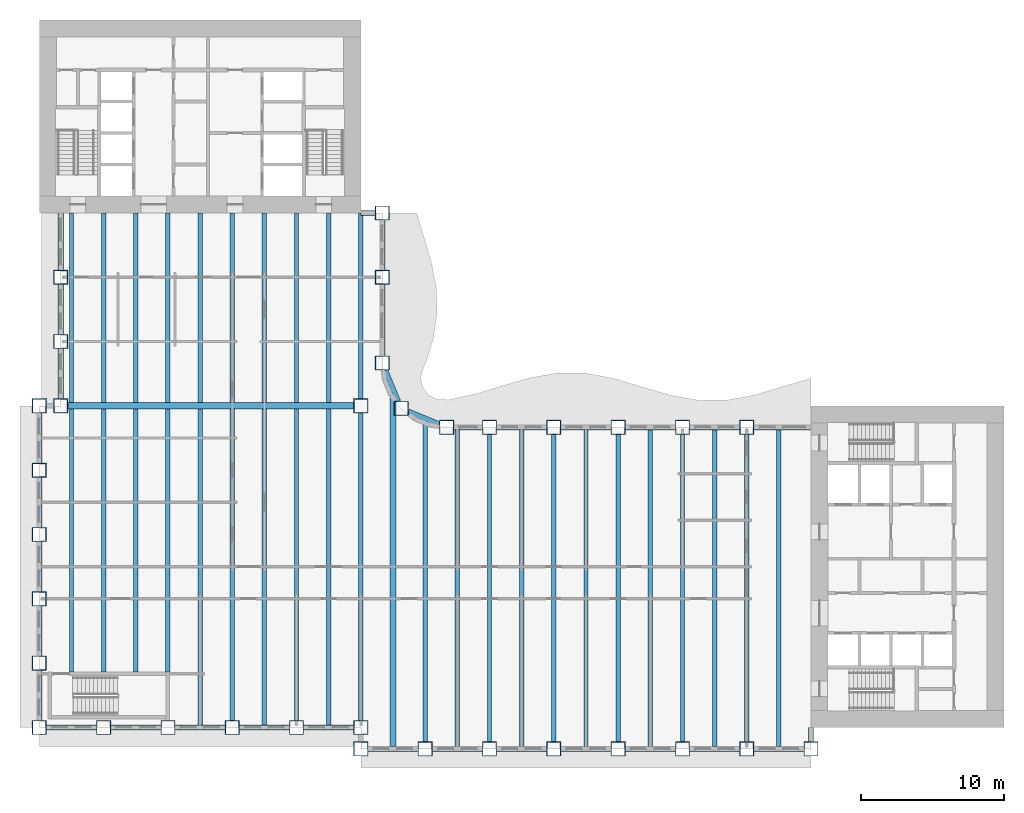
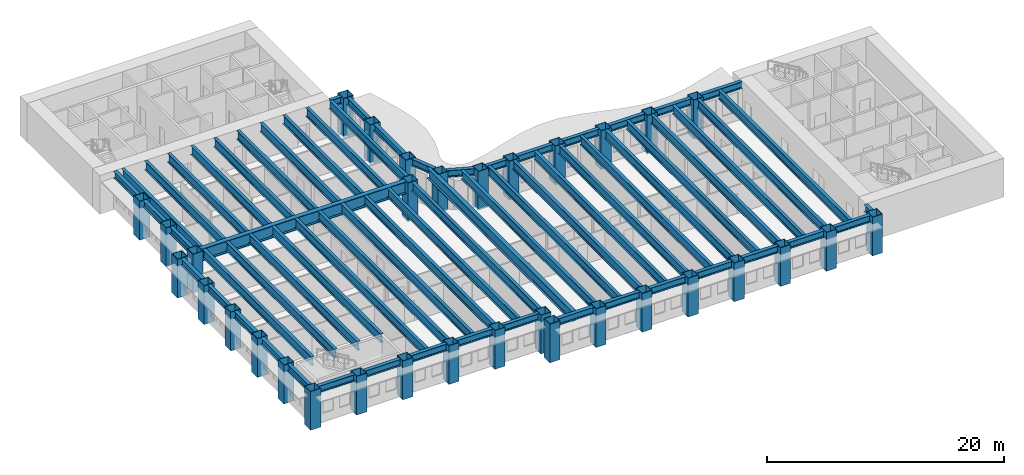
# One storey, part 1 of 16: 66 beams, 33 columns.
"""IFC4 building model written with IfcOpenShell, lengths in metres."""

from ifc_helpers import new_model, si_unit, direction, frame, origin, origin_2d, place, context, subcontext, project, spatial, hollow_rectangle, i_section, extrude, material, material_profile, profile_set, type_object, element, save


model = new_model("IFC4")

# Units and contexts
model_context = context("Model", 3, precision=1e-05, world=origin(), true_north=direction((0.0, 1.0)))
body_context = subcontext(model_context, "Body", "Model", "MODEL_VIEW")
ifc_project = project(units=[si_unit("LENGTHUNIT", "METRE"), si_unit("AREAUNIT", "SQUARE_METRE"), si_unit("VOLUMEUNIT", "CUBIC_METRE"), si_unit("PLANEANGLEUNIT", "RADIAN"), si_unit("MASSUNIT", "GRAM", prefix="KILO")], contexts=[model_context])

# Site, building, storey
site_placement = place(None, origin())
site = spatial("IfcSite", under=ifc_project, at=site_placement, CompositionType="ELEMENT")
building_placement = place(site_placement, origin())
building = spatial("IfcBuilding", under=site, at=building_placement, Name="Sennacour Bend Tower", CompositionType="ELEMENT")
storey_placement = place(building_placement, frame((0.0, 0.0, 99.0)))
storey = spatial("IfcBuildingStorey", under=building, at=storey_placement, Name="L22", CompositionType="ELEMENT", Elevation=99.0)

# Columns
ifc_material_1 = material(Name="Steel ASTM A572 Grade 50", Category="steel")
ifc_material_profile_1 = material_profile(ifc_material_1, hollow_rectangle(XDim=1.0, YDim=1.0, WallThickness=0.050048828125, at=origin_2d()), Name="Steel ASTM A572 Grade 50", Category="steel")
ifc_profile_set_1 = profile_set([ifc_material_profile_1], Name="Steel ASTM A572 Grade 50")
column_type = type_object("IfcColumnType", Name="Box column 1000", PredefinedType="COLUMN", material=ifc_profile_set_1)
for number, where, z_axis, x_axis, name in (
    (1, (0.0, 0.0, -0.14990234375), (0.0, 0.0, 1.0), (1.0, 0.0, 0.0), "Perimeter column C2 L22-001"),
    (2, (0.0, 4.5, -0.14990234375), (0.0, 0.0, 1.0), (1.0, 0.0, 0.0), "Perimeter column C2 L22-002"),
    (3, (0.0, 9.0, -0.14990234375), (0.0, 0.0, 1.0), (1.0, 0.0, 0.0), "Perimeter column C2 L22-003"),
    (4, (0.0, 13.5, -0.14990234375), (0.0, 0.0, 1.0), (1.0, 0.0, 0.0), "Perimeter column C2 L22-004"),
    (5, (0.0, 18.0, -0.14990234375), (0.0, 0.0, 1.0), (1.0, 0.0, 0.0), "Perimeter column C2 L22-005"),
    (6, (0.0, 22.5, -0.14990234375), (0.0, 0.0, 1.0), (1.0, 0.0, 0.0), "Perimeter column C2 L22-006"),
    (7, (1.5, 22.5, -0.14990234375), (0.0, 0.0, 1.0), (1.0, 0.0, 0.0), "Perimeter column C2 L22-007"),
    (8, (1.5, 27.0, -0.14990234375), (0.0, 0.0, 1.0), (1.0, 0.0, 0.0), "Perimeter column C2 L22-008"),
    (9, (1.5, 31.5, -0.14990234375), (0.0, 0.0, 1.0), (1.0, 0.0, 0.0), "Perimeter column C2 L22-009"),
    (10, (4.5, 0.0, -0.14990234375), (0.0, 0.0, 1.0), (1.0, 0.0, 0.0), "Perimeter column C2 L22-010"),
    (11, (9.0, 0.0, -0.14990234375), (0.0, 0.0, 1.0), (1.0, 0.0, 0.0), "Perimeter column C2 L22-011"),
    (12, (13.5, 0.0, -0.14990234375), (0.0, 0.0, 1.0), (1.0, 0.0, 0.0), "Perimeter column C2 L22-012"),
    (13, (18.0, 0.0, -0.14990234375), (0.0, 0.0, 1.0), (1.0, 0.0, 0.0), "Perimeter column C2 L22-013"),
    (14, (22.5, -1.5, -0.14990234375), (0.0, 0.0, 1.0), (1.0, 0.0, 0.0), "Perimeter column C2 L22-014"),
    (15, (22.5, 0.0, -0.14990234375), (0.0, 0.0, 1.0), (1.0, 0.0, 0.0), "Perimeter column C2 L22-015"),
    (16, (22.5, 22.5, -0.14990234375), (0.0, 0.0, 1.0), (1.0, 0.0, 0.0), "Knuckle column C2 L22-016"),
    (17, (24.0, 25.5, -0.14990234375), (0.0, 0.0, 1.0), (1.0, 0.0, 0.0), "Perimeter column C2 L22-017"),
    (18, (24.0, 31.5, -0.14990234375), (0.0, 0.0, 1.0), (1.0, 0.0, 0.0), "Perimeter column C2 L22-018"),
    (19, (24.0, 36.0, -0.14990234375), (0.0, 0.0, 1.0), (1.0, 0.0, 0.0), "Perimeter column C2 L22-019"),
    (20, (25.318115234375, 22.318115234375, -0.14990234375), (0.0, 0.0, 1.0), (1.0, 0.0, 0.0), "Perimeter column C2 L22-020"),
    (21, (27.0, -1.5, -0.14990234375), (0.0, 0.0, 1.0), (1.0, 0.0, 0.0), "Perimeter column C2 L22-021"),
    (22, (28.5, 21.0, -0.14990234375), (0.0, 0.0, 1.0), (1.0, 0.0, 0.0), "Perimeter column C2 L22-022"),
    (23, (31.5, -1.5, -0.14990234375), (0.0, 0.0, 1.0), (1.0, 0.0, 0.0), "Perimeter column C2 L22-023"),
    (24, (31.5, 21.0, -0.14990234375), (0.0, 0.0, 1.0), (1.0, 0.0, 0.0), "Perimeter column C2 L22-024"),
    (25, (36.0, -1.5, -0.14990234375), (0.0, 0.0, 1.0), (1.0, 0.0, 0.0), "Perimeter column C2 L22-025"),
    (26, (36.0, 21.0, -0.14990234375), (0.0, 0.0, 1.0), (1.0, 0.0, 0.0), "Perimeter column C2 L22-026"),
    (27, (40.5, -1.5, -0.14990234375), (0.0, 0.0, 1.0), (1.0, 0.0, 0.0), "Perimeter column C2 L22-027"),
    (28, (40.5, 21.0, -0.14990234375), (0.0, 0.0, 1.0), (1.0, 0.0, 0.0), "Perimeter column C2 L22-028"),
    (29, (45.0, -1.5, -0.14990234375), (0.0, 0.0, 1.0), (1.0, 0.0, 0.0), "Perimeter column C2 L22-029"),
    (30, (45.0, 21.0, -0.14990234375), (0.0, 0.0, 1.0), (1.0, 0.0, 0.0), "Perimeter column C2 L22-030"),
    (31, (49.5, -1.5, -0.14990234375), (0.0, 0.0, 1.0), (1.0, 0.0, 0.0), "Perimeter column C2 L22-031"),
    (32, (49.5, 21.0, -0.14990234375), (0.0, 0.0, 1.0), (1.0, 0.0, 0.0), "Perimeter column C2 L22-032"),
    (33, (54.0, -1.5, -0.14990234375), (0.0, 0.0, 1.0), (1.0, 0.0, 0.0), "Perimeter column C2 L22-033"),
):
    element("IfcColumn", number, at=place(storey_placement, frame(where, z_axis=z_axis, x_axis=x_axis)), inside=storey, type_object=column_type, Name=name, PredefinedType="COLUMN", context=body_context, shape_type="SweptSolid", body=[
        extrude(hollow_rectangle(XDim=1.0, YDim=1.0, WallThickness=0.050048828125, at=origin_2d()), origin(), (0.0, 0.0, 1.0), 4.0),
    ])

# Beams
ifc_material_2 = material(Name="Steel ASTM A992 Grade 50", Category="steel")
ifc_material_profile_2 = material_profile(ifc_material_2, i_section(OverallWidth=0.304931640625, OverallDepth=0.912109375, WebThickness=0.015869140625, FlangeThickness=0.02392578125, FilletRadius=0.01904296875, at=origin_2d()), Name="Steel ASTM A992 Grade 50", Category="steel")
ifc_profile_set_2 = profile_set([ifc_material_profile_2], Name="Steel ASTM A992 Grade 50")
beam_type_1 = type_object("IfcBeamType", Name="Floor beam W920X223", PredefinedType="BEAM", material=ifc_profile_set_2)
beam_1_placement = place(storey_placement, frame((2.25, 3.875, 3.39404296875), z_axis=(0.0, 1.0, 0.0), x_axis=(-1.0, 0.0, 0.0)))
element("IfcBeam", 34, at=beam_1_placement, inside=storey, type_object=beam_type_1, Name="Floor beam FBM1 L23-001", PredefinedType="BEAM", context=body_context, shape_type="SweptSolid", body=[
    extrude(i_section(OverallWidth=0.304931640625, OverallDepth=0.912109375, WebThickness=0.015869140625, FlangeThickness=0.02392578125, FilletRadius=0.01904296875, at=origin_2d()), origin(), (0.0, 0.0, 1.0), 18.39990234375),
])
beam_2_placement = place(storey_placement, frame((2.25, 22.72509765625, 3.39404296875), z_axis=(0.0, 1.0, 0.0), x_axis=(-1.0, 0.0, 0.0)))
element("IfcBeam", 35, at=beam_2_placement, inside=storey, type_object=beam_type_1, Name="Floor beam FBM1 L23-002", PredefinedType="BEAM", context=body_context, shape_type="SweptSolid", body=[
    extrude(i_section(OverallWidth=0.304931640625, OverallDepth=0.912109375, WebThickness=0.015869140625, FlangeThickness=0.02392578125, FilletRadius=0.01904296875, at=origin_2d()), origin(), (0.0, 0.0, 1.0), 13.27490234375),
])
beam_3_placement = place(storey_placement, frame((4.5, 3.875, 3.39404296875), z_axis=(0.0, 1.0, 0.0), x_axis=(-1.0, 0.0, 0.0)))
element("IfcBeam", 36, at=beam_3_placement, inside=storey, type_object=beam_type_1, Name="Floor beam FBM1 L23-003", PredefinedType="BEAM", context=body_context, shape_type="SweptSolid", body=[
    extrude(i_section(OverallWidth=0.304931640625, OverallDepth=0.912109375, WebThickness=0.015869140625, FlangeThickness=0.02392578125, FilletRadius=0.01904296875, at=origin_2d()), origin(), (0.0, 0.0, 1.0), 18.39990234375),
])
beam_4_placement = place(storey_placement, frame((4.5, 22.72509765625, 3.39404296875), z_axis=(0.0, 1.0, 0.0), x_axis=(-1.0, 0.0, 0.0)))
element("IfcBeam", 37, at=beam_4_placement, inside=storey, type_object=beam_type_1, Name="Floor beam FBM1 L23-004", PredefinedType="BEAM", context=body_context, shape_type="SweptSolid", body=[
    extrude(i_section(OverallWidth=0.304931640625, OverallDepth=0.912109375, WebThickness=0.015869140625, FlangeThickness=0.02392578125, FilletRadius=0.01904296875, at=origin_2d()), origin(), (0.0, 0.0, 1.0), 13.27490234375),
])
beam_5_placement = place(storey_placement, frame((6.75, 3.875, 3.39404296875), z_axis=(0.0, 1.0, 0.0), x_axis=(-1.0, 0.0, 0.0)))
element("IfcBeam", 38, at=beam_5_placement, inside=storey, type_object=beam_type_1, Name="Floor beam FBM1 L23-005", PredefinedType="BEAM", context=body_context, shape_type="SweptSolid", body=[
    extrude(i_section(OverallWidth=0.304931640625, OverallDepth=0.912109375, WebThickness=0.015869140625, FlangeThickness=0.02392578125, FilletRadius=0.01904296875, at=origin_2d()), origin(), (0.0, 0.0, 1.0), 18.39990234375),
])
beam_6_placement = place(storey_placement, frame((6.75, 22.72509765625, 3.39404296875), z_axis=(0.0, 1.0, 0.0), x_axis=(-1.0, 0.0, 0.0)))
element("IfcBeam", 39, at=beam_6_placement, inside=storey, type_object=beam_type_1, Name="Floor beam FBM1 L23-006", PredefinedType="BEAM", context=body_context, shape_type="SweptSolid", body=[
    extrude(i_section(OverallWidth=0.304931640625, OverallDepth=0.912109375, WebThickness=0.015869140625, FlangeThickness=0.02392578125, FilletRadius=0.01904296875, at=origin_2d()), origin(), (0.0, 0.0, 1.0), 13.27490234375),
])
beam_7_placement = place(storey_placement, frame((9.0, 3.875, 3.39404296875), z_axis=(0.0, 1.0, 0.0), x_axis=(-1.0, 0.0, 0.0)))
element("IfcBeam", 40, at=beam_7_placement, inside=storey, type_object=beam_type_1, Name="Floor beam FBM1 L23-007", PredefinedType="BEAM", context=body_context, shape_type="SweptSolid", body=[
    extrude(i_section(OverallWidth=0.304931640625, OverallDepth=0.912109375, WebThickness=0.015869140625, FlangeThickness=0.02392578125, FilletRadius=0.01904296875, at=origin_2d()), origin(), (0.0, 0.0, 1.0), 18.39990234375),
])
beam_8_placement = place(storey_placement, frame((9.0, 22.72509765625, 3.39404296875), z_axis=(0.0, 1.0, 0.0), x_axis=(-1.0, 0.0, 0.0)))
element("IfcBeam", 41, at=beam_8_placement, inside=storey, type_object=beam_type_1, Name="Floor beam FBM1 L23-008", PredefinedType="BEAM", context=body_context, shape_type="SweptSolid", body=[
    extrude(i_section(OverallWidth=0.304931640625, OverallDepth=0.912109375, WebThickness=0.015869140625, FlangeThickness=0.02392578125, FilletRadius=0.01904296875, at=origin_2d()), origin(), (0.0, 0.0, 1.0), 13.27490234375),
])
beam_9_placement = place(storey_placement, frame((11.25, 0.177978515625, 3.39404296875), z_axis=(0.0, 1.0, 0.0), x_axis=(-1.0, 0.0, 0.0)))
element("IfcBeam", 42, at=beam_9_placement, inside=storey, type_object=beam_type_1, Name="Floor beam FBM1 L23-009", PredefinedType="BEAM", context=body_context, shape_type="SweptSolid", body=[
    extrude(i_section(OverallWidth=0.304931640625, OverallDepth=0.912109375, WebThickness=0.015869140625, FlangeThickness=0.02392578125, FilletRadius=0.01904296875, at=origin_2d()), origin(), (0.0, 0.0, 1.0), 22.096923828125),
])
beam_10_placement = place(storey_placement, frame((11.25, 22.72509765625, 3.39404296875), z_axis=(0.0, 1.0, 0.0), x_axis=(-1.0, 0.0, 0.0)))
element("IfcBeam", 43, at=beam_10_placement, inside=storey, type_object=beam_type_1, Name="Floor beam FBM1 L23-010", PredefinedType="BEAM", context=body_context, shape_type="SweptSolid", body=[
    extrude(i_section(OverallWidth=0.304931640625, OverallDepth=0.912109375, WebThickness=0.015869140625, FlangeThickness=0.02392578125, FilletRadius=0.01904296875, at=origin_2d()), origin(), (0.0, 0.0, 1.0), 13.27490234375),
])
beam_11_placement = place(storey_placement, frame((13.5, 0.5, 3.39404296875), z_axis=(0.0, 1.0, 0.0), x_axis=(-1.0, 0.0, 0.0)))
element("IfcBeam", 44, at=beam_11_placement, inside=storey, type_object=beam_type_1, Name="Floor beam FBM1 L23-011", PredefinedType="BEAM", context=body_context, shape_type="SweptSolid", body=[
    extrude(i_section(OverallWidth=0.304931640625, OverallDepth=0.912109375, WebThickness=0.015869140625, FlangeThickness=0.02392578125, FilletRadius=0.01904296875, at=origin_2d()), origin(), (0.0, 0.0, 1.0), 21.77490234375),
])
beam_12_placement = place(storey_placement, frame((13.5, 22.72509765625, 3.39404296875), z_axis=(0.0, 1.0, 0.0), x_axis=(-1.0, 0.0, 0.0)))
element("IfcBeam", 45, at=beam_12_placement, inside=storey, type_object=beam_type_1, Name="Floor beam FBM1 L23-012", PredefinedType="BEAM", context=body_context, shape_type="SweptSolid", body=[
    extrude(i_section(OverallWidth=0.304931640625, OverallDepth=0.912109375, WebThickness=0.015869140625, FlangeThickness=0.02392578125, FilletRadius=0.01904296875, at=origin_2d()), origin(), (0.0, 0.0, 1.0), 13.27490234375),
])
beam_13_placement = place(storey_placement, frame((15.75, 0.177978515625, 3.39404296875), z_axis=(0.0, 1.0, 0.0), x_axis=(-1.0, 0.0, 0.0)))
element("IfcBeam", 46, at=beam_13_placement, inside=storey, type_object=beam_type_1, Name="Floor beam FBM1 L23-013", PredefinedType="BEAM", context=body_context, shape_type="SweptSolid", body=[
    extrude(i_section(OverallWidth=0.304931640625, OverallDepth=0.912109375, WebThickness=0.015869140625, FlangeThickness=0.02392578125, FilletRadius=0.01904296875, at=origin_2d()), origin(), (0.0, 0.0, 1.0), 22.096923828125),
])
beam_14_placement = place(storey_placement, frame((15.75, 22.72509765625, 3.39404296875), z_axis=(0.0, 1.0, 0.0), x_axis=(-1.0, 0.0, 0.0)))
element("IfcBeam", 47, at=beam_14_placement, inside=storey, type_object=beam_type_1, Name="Floor beam FBM1 L23-014", PredefinedType="BEAM", context=body_context, shape_type="SweptSolid", body=[
    extrude(i_section(OverallWidth=0.304931640625, OverallDepth=0.912109375, WebThickness=0.015869140625, FlangeThickness=0.02392578125, FilletRadius=0.01904296875, at=origin_2d()), origin(), (0.0, 0.0, 1.0), 13.27490234375),
])
beam_15_placement = place(storey_placement, frame((18.0, 0.5, 3.39404296875), z_axis=(0.0, 1.0, 0.0), x_axis=(-1.0, 0.0, 0.0)))
element("IfcBeam", 48, at=beam_15_placement, inside=storey, type_object=beam_type_1, Name="Floor beam FBM1 L23-015", PredefinedType="BEAM", context=body_context, shape_type="SweptSolid", body=[
    extrude(i_section(OverallWidth=0.304931640625, OverallDepth=0.912109375, WebThickness=0.015869140625, FlangeThickness=0.02392578125, FilletRadius=0.01904296875, at=origin_2d()), origin(), (0.0, 0.0, 1.0), 21.77490234375),
])
beam_16_placement = place(storey_placement, frame((18.0, 22.72509765625, 3.39404296875), z_axis=(0.0, 1.0, 0.0), x_axis=(-1.0, 0.0, 0.0)))
element("IfcBeam", 49, at=beam_16_placement, inside=storey, type_object=beam_type_1, Name="Floor beam FBM1 L23-016", PredefinedType="BEAM", context=body_context, shape_type="SweptSolid", body=[
    extrude(i_section(OverallWidth=0.304931640625, OverallDepth=0.912109375, WebThickness=0.015869140625, FlangeThickness=0.02392578125, FilletRadius=0.01904296875, at=origin_2d()), origin(), (0.0, 0.0, 1.0), 13.27490234375),
])
beam_17_placement = place(storey_placement, frame((20.25, 0.177978515625, 3.39404296875), z_axis=(0.0, 1.0, 0.0), x_axis=(-1.0, 0.0, 0.0)))
element("IfcBeam", 50, at=beam_17_placement, inside=storey, type_object=beam_type_1, Name="Floor beam FBM1 L23-017", PredefinedType="BEAM", context=body_context, shape_type="SweptSolid", body=[
    extrude(i_section(OverallWidth=0.304931640625, OverallDepth=0.912109375, WebThickness=0.015869140625, FlangeThickness=0.02392578125, FilletRadius=0.01904296875, at=origin_2d()), origin(), (0.0, 0.0, 1.0), 22.096923828125),
])
beam_18_placement = place(storey_placement, frame((20.25, 22.72509765625, 3.39404296875), z_axis=(0.0, 1.0, 0.0), x_axis=(-1.0, 0.0, 0.0)))
element("IfcBeam", 51, at=beam_18_placement, inside=storey, type_object=beam_type_1, Name="Floor beam FBM1 L23-018", PredefinedType="BEAM", context=body_context, shape_type="SweptSolid", body=[
    extrude(i_section(OverallWidth=0.304931640625, OverallDepth=0.912109375, WebThickness=0.015869140625, FlangeThickness=0.02392578125, FilletRadius=0.01904296875, at=origin_2d()), origin(), (0.0, 0.0, 1.0), 13.27490234375),
])
beam_19_placement = place(storey_placement, frame((22.5, 0.5, 3.39404296875), z_axis=(0.0, 1.0, 0.0), x_axis=(-1.0, 0.0, 0.0)))
element("IfcBeam", 52, at=beam_19_placement, inside=storey, type_object=beam_type_1, Name="Floor beam FBM1 L23-019", PredefinedType="BEAM", context=body_context, shape_type="SweptSolid", body=[
    extrude(i_section(OverallWidth=0.304931640625, OverallDepth=0.912109375, WebThickness=0.015869140625, FlangeThickness=0.02392578125, FilletRadius=0.01904296875, at=origin_2d()), origin(), (0.0, 0.0, 1.0), 21.5),
])
beam_20_placement = place(storey_placement, frame((22.5, 23.0, 3.39404296875), z_axis=(0.0, 1.0, 0.0), x_axis=(-1.0, 0.0, 0.0)))
element("IfcBeam", 53, at=beam_20_placement, inside=storey, type_object=beam_type_1, Name="Floor beam FBM1 L23-020", PredefinedType="BEAM", context=body_context, shape_type="SweptSolid", body=[
    extrude(i_section(OverallWidth=0.304931640625, OverallDepth=0.912109375, WebThickness=0.015869140625, FlangeThickness=0.02392578125, FilletRadius=0.01904296875, at=origin_2d()), origin(), (0.0, 0.0, 1.0), 13.0),
])
beam_21_placement = place(storey_placement, frame((27.0, -1.0, 3.39404296875), z_axis=(0.0, 1.0, 0.0), x_axis=(-1.0, 0.0, 0.0)))
element("IfcBeam", 54, at=beam_21_placement, inside=storey, type_object=beam_type_1, Name="Floor beam FBM1 L23-022", PredefinedType="BEAM", context=body_context, shape_type="SweptSolid", body=[
    extrude(i_section(OverallWidth=0.304931640625, OverallDepth=0.912109375, WebThickness=0.015869140625, FlangeThickness=0.02392578125, FilletRadius=0.01904296875, at=origin_2d()), origin(), (0.0, 0.0, 1.0), 22.4287109375),
])
beam_22_placement = place(storey_placement, frame((29.25, -1.322021484375, 3.39404296875), z_axis=(0.0, 1.0, 0.0), x_axis=(-1.0, 0.0, 0.0)))
element("IfcBeam", 55, at=beam_22_placement, inside=storey, type_object=beam_type_1, Name="Floor beam FBM1 L23-023", PredefinedType="BEAM", context=body_context, shape_type="SweptSolid", body=[
    extrude(i_section(OverallWidth=0.304931640625, OverallDepth=0.912109375, WebThickness=0.015869140625, FlangeThickness=0.02392578125, FilletRadius=0.01904296875, at=origin_2d()), origin(), (0.0, 0.0, 1.0), 22.14404296875),
])
beam_23_placement = place(storey_placement, frame((31.5, -1.0, 3.39404296875), z_axis=(0.0, 1.0, 0.0), x_axis=(-1.0, 0.0, 0.0)))
element("IfcBeam", 56, at=beam_23_placement, inside=storey, type_object=beam_type_1, Name="Floor beam FBM1 L23-024", PredefinedType="BEAM", context=body_context, shape_type="SweptSolid", body=[
    extrude(i_section(OverallWidth=0.304931640625, OverallDepth=0.912109375, WebThickness=0.015869140625, FlangeThickness=0.02392578125, FilletRadius=0.01904296875, at=origin_2d()), origin(), (0.0, 0.0, 1.0), 21.5),
])
beam_24_placement = place(storey_placement, frame((33.75, -1.322021484375, 3.39404296875), z_axis=(0.0, 1.0, 0.0), x_axis=(-1.0, 0.0, 0.0)))
element("IfcBeam", 57, at=beam_24_placement, inside=storey, type_object=beam_type_1, Name="Floor beam FBM1 L23-025", PredefinedType="BEAM", context=body_context, shape_type="SweptSolid", body=[
    extrude(i_section(OverallWidth=0.304931640625, OverallDepth=0.912109375, WebThickness=0.015869140625, FlangeThickness=0.02392578125, FilletRadius=0.01904296875, at=origin_2d()), origin(), (0.0, 0.0, 1.0), 22.14404296875),
])
beam_25_placement = place(storey_placement, frame((36.0, -1.0, 3.39404296875), z_axis=(0.0, 1.0, 0.0), x_axis=(-1.0, 0.0, 0.0)))
element("IfcBeam", 58, at=beam_25_placement, inside=storey, type_object=beam_type_1, Name="Floor beam FBM1 L23-026", PredefinedType="BEAM", context=body_context, shape_type="SweptSolid", body=[
    extrude(i_section(OverallWidth=0.304931640625, OverallDepth=0.912109375, WebThickness=0.015869140625, FlangeThickness=0.02392578125, FilletRadius=0.01904296875, at=origin_2d()), origin(), (0.0, 0.0, 1.0), 21.5),
])
beam_26_placement = place(storey_placement, frame((38.25, -1.322021484375, 3.39404296875), z_axis=(0.0, 1.0, 0.0), x_axis=(-1.0, 0.0, 0.0)))
element("IfcBeam", 59, at=beam_26_placement, inside=storey, type_object=beam_type_1, Name="Floor beam FBM1 L23-027", PredefinedType="BEAM", context=body_context, shape_type="SweptSolid", body=[
    extrude(i_section(OverallWidth=0.304931640625, OverallDepth=0.912109375, WebThickness=0.015869140625, FlangeThickness=0.02392578125, FilletRadius=0.01904296875, at=origin_2d()), origin(), (0.0, 0.0, 1.0), 22.14404296875),
])
beam_27_placement = place(storey_placement, frame((40.5, -1.0, 3.39404296875), z_axis=(0.0, 1.0, 0.0), x_axis=(-1.0, 0.0, 0.0)))
element("IfcBeam", 60, at=beam_27_placement, inside=storey, type_object=beam_type_1, Name="Floor beam FBM1 L23-028", PredefinedType="BEAM", context=body_context, shape_type="SweptSolid", body=[
    extrude(i_section(OverallWidth=0.304931640625, OverallDepth=0.912109375, WebThickness=0.015869140625, FlangeThickness=0.02392578125, FilletRadius=0.01904296875, at=origin_2d()), origin(), (0.0, 0.0, 1.0), 21.5),
])
beam_28_placement = place(storey_placement, frame((42.75, -1.322021484375, 3.39404296875), z_axis=(0.0, 1.0, 0.0), x_axis=(-1.0, 0.0, 0.0)))
element("IfcBeam", 61, at=beam_28_placement, inside=storey, type_object=beam_type_1, Name="Floor beam FBM1 L23-029", PredefinedType="BEAM", context=body_context, shape_type="SweptSolid", body=[
    extrude(i_section(OverallWidth=0.304931640625, OverallDepth=0.912109375, WebThickness=0.015869140625, FlangeThickness=0.02392578125, FilletRadius=0.01904296875, at=origin_2d()), origin(), (0.0, 0.0, 1.0), 22.14404296875),
])
beam_29_placement = place(storey_placement, frame((45.0, -1.0, 3.39404296875), z_axis=(0.0, 1.0, 0.0), x_axis=(-1.0, 0.0, 0.0)))
element("IfcBeam", 62, at=beam_29_placement, inside=storey, type_object=beam_type_1, Name="Floor beam FBM1 L23-030", PredefinedType="BEAM", context=body_context, shape_type="SweptSolid", body=[
    extrude(i_section(OverallWidth=0.304931640625, OverallDepth=0.912109375, WebThickness=0.015869140625, FlangeThickness=0.02392578125, FilletRadius=0.01904296875, at=origin_2d()), origin(), (0.0, 0.0, 1.0), 21.5),
])
beam_30_placement = place(storey_placement, frame((47.25, -1.322021484375, 3.39404296875), z_axis=(0.0, 1.0, 0.0), x_axis=(-1.0, 0.0, 0.0)))
element("IfcBeam", 63, at=beam_30_placement, inside=storey, type_object=beam_type_1, Name="Floor beam FBM1 L23-031", PredefinedType="BEAM", context=body_context, shape_type="SweptSolid", body=[
    extrude(i_section(OverallWidth=0.304931640625, OverallDepth=0.912109375, WebThickness=0.015869140625, FlangeThickness=0.02392578125, FilletRadius=0.01904296875, at=origin_2d()), origin(), (0.0, 0.0, 1.0), 22.14404296875),
])
beam_31_placement = place(storey_placement, frame((49.5, -1.0, 3.39404296875), z_axis=(0.0, 1.0, 0.0), x_axis=(-1.0, 0.0, 0.0)))
element("IfcBeam", 64, at=beam_31_placement, inside=storey, type_object=beam_type_1, Name="Floor beam FBM1 L23-032", PredefinedType="BEAM", context=body_context, shape_type="SweptSolid", body=[
    extrude(i_section(OverallWidth=0.304931640625, OverallDepth=0.912109375, WebThickness=0.015869140625, FlangeThickness=0.02392578125, FilletRadius=0.01904296875, at=origin_2d()), origin(), (0.0, 0.0, 1.0), 21.5),
])
beam_32_placement = place(storey_placement, frame((51.75, -1.322021484375, 3.39404296875), z_axis=(0.0, 1.0, 0.0), x_axis=(-1.0, 0.0, 0.0)))
element("IfcBeam", 65, at=beam_32_placement, inside=storey, type_object=beam_type_1, Name="Floor beam FBM1 L23-033", PredefinedType="BEAM", context=body_context, shape_type="SweptSolid", body=[
    extrude(i_section(OverallWidth=0.304931640625, OverallDepth=0.912109375, WebThickness=0.015869140625, FlangeThickness=0.02392578125, FilletRadius=0.01904296875, at=origin_2d()), origin(), (0.0, 0.0, 1.0), 22.14404296875),
])
ifc_material_profile_3 = material_profile(ifc_material_1, i_section(OverallWidth=0.449951171875, OverallDepth=1.25, WebThickness=0.028076171875, FlangeThickness=0.050048828125, at=origin_2d()), Name="Steel ASTM A572 Grade 50", Category="steel")
ifc_profile_set_3 = profile_set([ifc_material_profile_3], Name="Steel ASTM A572 Grade 50")
beam_type_2 = type_object("IfcBeamType", Name="Knuckle girder 1250", PredefinedType="USERDEFINED", material=ifc_profile_set_3)
beam_33_placement = place(storey_placement, frame((2.0, 22.5, 3.22509765625), z_axis=(1.0, 0.0, 0.0), x_axis=(0.0, 1.0, 0.0)))
element("IfcBeam", 66, at=beam_33_placement, inside=storey, type_object=beam_type_2, Name="Knuckle girder GK L23-001", ObjectType="KNUCKLE GIRDER", PredefinedType="USERDEFINED", context=body_context, shape_type="SweptSolid", body=[
    extrude(i_section(OverallWidth=0.449951171875, OverallDepth=1.25, WebThickness=0.028076171875, FlangeThickness=0.050048828125, at=origin_2d()), origin(), (0.0, 0.0, 1.0), 20.0),
])
ifc_material_profile_4 = material_profile(ifc_material_2, i_section(OverallWidth=0.40087890625, OverallDepth=1.090087890625, WebThickness=0.01806640625, FlangeThickness=0.031005859375, FilletRadius=0.02001953125, at=origin_2d()), Name="Steel ASTM A992 Grade 50", Category="steel")
ifc_profile_set_4 = profile_set([ifc_material_profile_4], Name="Steel ASTM A992 Grade 50")
beam_type_3 = type_object("IfcBeamType", Name="Notch floor beam W1100X343", PredefinedType="BEAM", material=ifc_profile_set_4)
beam_34_placement = place(storey_placement, frame((24.75, -1.322021484375, 3.304931640625), z_axis=(0.0, 1.0, 0.0), x_axis=(-1.0, 0.0, 0.0)))
element("IfcBeam", 67, at=beam_34_placement, inside=storey, type_object=beam_type_3, Name="Floor beam FBM4 L23-021", PredefinedType="BEAM", context=body_context, shape_type="SweptSolid", body=[
    extrude(i_section(OverallWidth=0.40087890625, OverallDepth=1.090087890625, WebThickness=0.01806640625, FlangeThickness=0.031005859375, FilletRadius=0.02001953125, at=origin_2d()), origin(), (0.0, 0.0, 1.0), 24.546142578125),
])
ifc_material_profile_5 = material_profile(ifc_material_2, i_section(OverallWidth=0.35595703125, OverallDepth=0.696044921875, WebThickness=0.015380859375, FlangeThickness=0.02490234375, FilletRadius=0.02001953125, at=origin_2d()), Name="Steel ASTM A992 Grade 50", Category="steel")
ifc_profile_set_5 = profile_set([ifc_material_profile_5], Name="Steel ASTM A992 Grade 50")
beam_type_4 = type_object("IfcBeamType", Name="Spandrel beam W690X217", PredefinedType="SPANDREL", material=ifc_profile_set_5)
for number, where, z_axis, x_axis, name in (
    (68, (22.0, 0.0, 3.501953125), (-1.0, 0.0, 0.0), (0.0, -1.0, 0.0), "Spandrel beam SP3 L23-001"),
    (69, (17.5, 0.0, 3.501953125), (-1.0, 0.0, 0.0), (0.0, -1.0, 0.0), "Spandrel beam SP3 L23-002"),
    (70, (13.0, 0.0, 3.501953125), (-1.0, 0.0, 0.0), (0.0, -1.0, 0.0), "Spandrel beam SP3 L23-003"),
    (71, (8.5, 0.0, 3.501953125), (-1.0, 0.0, 0.0), (0.0, -1.0, 0.0), "Spandrel beam SP3 L23-004"),
    (72, (4.0, 0.0, 3.501953125), (-1.0, 0.0, 0.0), (0.0, -1.0, 0.0), "Spandrel beam SP3 L23-005"),
    (73, (0.0, 0.5, 3.501953125), (0.0, 1.0, 0.0), (-1.0, 0.0, 0.0), "Spandrel beam SP3 L23-006"),
    (74, (0.0, 5.0, 3.501953125), (0.0, 1.0, 0.0), (-1.0, 0.0, 0.0), "Spandrel beam SP3 L23-007"),
    (75, (0.0, 9.5, 3.501953125), (0.0, 1.0, 0.0), (-1.0, 0.0, 0.0), "Spandrel beam SP3 L23-008"),
    (76, (0.0, 14.0, 3.501953125), (0.0, 1.0, 0.0), (-1.0, 0.0, 0.0), "Spandrel beam SP3 L23-009"),
    (77, (0.0, 18.5, 3.501953125), (0.0, 1.0, 0.0), (-1.0, 0.0, 0.0), "Spandrel beam SP3 L23-010"),
    (78, (1.5, 23.0, 3.501953125), (0.0, 1.0, 0.0), (-1.0, 0.0, 0.0), "Spandrel beam SP3 L23-011"),
    (79, (1.5, 27.5, 3.501953125), (0.0, 1.0, 0.0), (-1.0, 0.0, 0.0), "Spandrel beam SP3 L23-012"),
):
    element("IfcBeam", number, at=place(storey_placement, frame(where, z_axis=z_axis, x_axis=x_axis)), inside=storey, type_object=beam_type_4, Name=name, PredefinedType="SPANDREL", context=body_context, shape_type="SweptSolid", body=[
        extrude(i_section(OverallWidth=0.35595703125, OverallDepth=0.696044921875, WebThickness=0.015380859375, FlangeThickness=0.02490234375, FilletRadius=0.02001953125, at=origin_2d()), origin(), (0.0, 0.0, 1.0), 3.5),
    ])
beam_35_placement = place(storey_placement, frame((1.5, 32.0, 3.501953125), z_axis=(0.0, 1.0, 0.0), x_axis=(-1.0, 0.0, 0.0)))
element("IfcBeam", 80, at=beam_35_placement, inside=storey, type_object=beam_type_4, Name="Spandrel beam SP3 L23-013", PredefinedType="SPANDREL", context=body_context, shape_type="SweptSolid", body=[
    extrude(i_section(OverallWidth=0.35595703125, OverallDepth=0.696044921875, WebThickness=0.015380859375, FlangeThickness=0.02490234375, FilletRadius=0.02001953125, at=origin_2d()), origin(), (0.0, 0.0, 1.0), 4.0),
])
beam_36_placement = place(storey_placement, frame((22.5, 36.0, 3.501953125), z_axis=(1.0, 0.0, 0.0), x_axis=(0.0, 1.0, 0.0)))
element("IfcBeam", 81, at=beam_36_placement, inside=storey, type_object=beam_type_4, Name="Spandrel beam SP3 L23-014", PredefinedType="SPANDREL", context=body_context, shape_type="SweptSolid", body=[
    extrude(i_section(OverallWidth=0.35595703125, OverallDepth=0.696044921875, WebThickness=0.015380859375, FlangeThickness=0.02490234375, FilletRadius=0.02001953125, at=origin_2d()), origin(), (0.0, 0.0, 1.0), 1.0),
])
beam_37_placement = place(storey_placement, frame((24.0, 35.5, 3.501953125), z_axis=(0.0, -1.0, 0.0), x_axis=(1.0, 0.0, 0.0)))
element("IfcBeam", 82, at=beam_37_placement, inside=storey, type_object=beam_type_4, Name="Spandrel beam SP3 L23-015", PredefinedType="SPANDREL", context=body_context, shape_type="SweptSolid", body=[
    extrude(i_section(OverallWidth=0.35595703125, OverallDepth=0.696044921875, WebThickness=0.015380859375, FlangeThickness=0.02490234375, FilletRadius=0.02001953125, at=origin_2d()), origin(), (0.0, 0.0, 1.0), 3.5),
])
beam_38_placement = place(storey_placement, frame((24.0, 31.0, 3.501953125), z_axis=(0.0, -1.0, 0.0), x_axis=(1.0, 0.0, 0.0)))
element("IfcBeam", 83, at=beam_38_placement, inside=storey, type_object=beam_type_4, Name="Spandrel beam SP3 L23-016", PredefinedType="SPANDREL", context=body_context, shape_type="SweptSolid", body=[
    extrude(i_section(OverallWidth=0.35595703125, OverallDepth=0.696044921875, WebThickness=0.015380859375, FlangeThickness=0.02490234375, FilletRadius=0.02001953125, at=origin_2d()), origin(), (0.0, 0.0, 1.0), 5.0),
])
for number, where, z_axis, x_axis, name in (
    (84, (24.20703125, 25.0, 3.501953125), (0.382698732017, -0.92387319504, 0.0), (0.92387319504, 0.382698732017, 0.0), "Spandrel beam SP3 L23-017"),
    (85, (25.818115234375, 22.11083984375, 3.501953125), (0.92387319504, -0.382698732017, 0.0), (0.382698732017, 0.92387319504, 0.0), "Spandrel beam SP3 L23-018"),
):
    element("IfcBeam", number, at=place(storey_placement, frame(where, z_axis=z_axis, x_axis=x_axis)), inside=storey, type_object=beam_type_4, Name=name, PredefinedType="SPANDREL", context=body_context, shape_type="SweptSolid", body=[
        extrude(i_section(OverallWidth=0.35595703125, OverallDepth=0.696044921875, WebThickness=0.015380859375, FlangeThickness=0.02490234375, FilletRadius=0.02001953125, at=origin_2d()), origin(), (0.0, 0.0, 1.0), 2.361572265625),
    ])
beam_39_placement = place(storey_placement, frame((29.0, 21.0, 3.501953125), z_axis=(1.0, 0.0, 0.0), x_axis=(0.0, 1.0, 0.0)))
element("IfcBeam", 86, at=beam_39_placement, inside=storey, type_object=beam_type_4, Name="Spandrel beam SP3 L23-019", PredefinedType="SPANDREL", context=body_context, shape_type="SweptSolid", body=[
    extrude(i_section(OverallWidth=0.35595703125, OverallDepth=0.696044921875, WebThickness=0.015380859375, FlangeThickness=0.02490234375, FilletRadius=0.02001953125, at=origin_2d()), origin(), (0.0, 0.0, 1.0), 2.0),
])
for number, where, z_axis, x_axis, name in (
    (87, (32.0, 21.0, 3.501953125), (1.0, 0.0, 0.0), (0.0, 1.0, 0.0), "Spandrel beam SP3 L23-020"),
    (88, (36.5, 21.0, 3.501953125), (1.0, 0.0, 0.0), (0.0, 1.0, 0.0), "Spandrel beam SP3 L23-021"),
    (89, (41.0, 21.0, 3.501953125), (1.0, 0.0, 0.0), (0.0, 1.0, 0.0), "Spandrel beam SP3 L23-022"),
    (90, (45.5, 21.0, 3.501953125), (1.0, 0.0, 0.0), (0.0, 1.0, 0.0), "Spandrel beam SP3 L23-023"),
):
    element("IfcBeam", number, at=place(storey_placement, frame(where, z_axis=z_axis, x_axis=x_axis)), inside=storey, type_object=beam_type_4, Name=name, PredefinedType="SPANDREL", context=body_context, shape_type="SweptSolid", body=[
        extrude(i_section(OverallWidth=0.35595703125, OverallDepth=0.696044921875, WebThickness=0.015380859375, FlangeThickness=0.02490234375, FilletRadius=0.02001953125, at=origin_2d()), origin(), (0.0, 0.0, 1.0), 3.5),
    ])
beam_40_placement = place(storey_placement, frame((50.0, 21.0, 3.501953125), z_axis=(1.0, 0.0, 0.0), x_axis=(0.0, 1.0, 0.0)))
element("IfcBeam", 91, at=beam_40_placement, inside=storey, type_object=beam_type_4, Name="Spandrel beam SP3 L23-024", PredefinedType="SPANDREL", context=body_context, shape_type="SweptSolid", body=[
    extrude(i_section(OverallWidth=0.35595703125, OverallDepth=0.696044921875, WebThickness=0.015380859375, FlangeThickness=0.02490234375, FilletRadius=0.02001953125, at=origin_2d()), origin(), (0.0, 0.0, 1.0), 4.0),
])
beam_41_placement = place(storey_placement, frame((54.0, 0.0, 3.501953125), z_axis=(0.0, -1.0, 0.0), x_axis=(1.0, 0.0, 0.0)))
element("IfcBeam", 92, at=beam_41_placement, inside=storey, type_object=beam_type_4, Name="Spandrel beam SP3 L23-025", PredefinedType="SPANDREL", context=body_context, shape_type="SweptSolid", body=[
    extrude(i_section(OverallWidth=0.35595703125, OverallDepth=0.696044921875, WebThickness=0.015380859375, FlangeThickness=0.02490234375, FilletRadius=0.02001953125, at=origin_2d()), origin(), (0.0, 0.0, 1.0), 1.0),
])
for number, where, z_axis, x_axis, name in (
    (93, (53.5, -1.5, 3.501953125), (-1.0, 0.0, 0.0), (0.0, -1.0, 0.0), "Spandrel beam SP3 L23-026"),
    (94, (49.0, -1.5, 3.501953125), (-1.0, 0.0, 0.0), (0.0, -1.0, 0.0), "Spandrel beam SP3 L23-027"),
    (95, (44.5, -1.5, 3.501953125), (-1.0, 0.0, 0.0), (0.0, -1.0, 0.0), "Spandrel beam SP3 L23-028"),
    (96, (40.0, -1.5, 3.501953125), (-1.0, 0.0, 0.0), (0.0, -1.0, 0.0), "Spandrel beam SP3 L23-029"),
    (97, (35.5, -1.5, 3.501953125), (-1.0, 0.0, 0.0), (0.0, -1.0, 0.0), "Spandrel beam SP3 L23-030"),
    (98, (31.0, -1.5, 3.501953125), (-1.0, 0.0, 0.0), (0.0, -1.0, 0.0), "Spandrel beam SP3 L23-031"),
    (99, (26.5, -1.5, 3.501953125), (-1.0, 0.0, 0.0), (0.0, -1.0, 0.0), "Spandrel beam SP3 L23-032"),
):
    element("IfcBeam", number, at=place(storey_placement, frame(where, z_axis=z_axis, x_axis=x_axis)), inside=storey, type_object=beam_type_4, Name=name, PredefinedType="SPANDREL", context=body_context, shape_type="SweptSolid", body=[
        extrude(i_section(OverallWidth=0.35595703125, OverallDepth=0.696044921875, WebThickness=0.015380859375, FlangeThickness=0.02490234375, FilletRadius=0.02001953125, at=origin_2d()), origin(), (0.0, 0.0, 1.0), 3.5),
    ])

save(model, "model.ifc")
